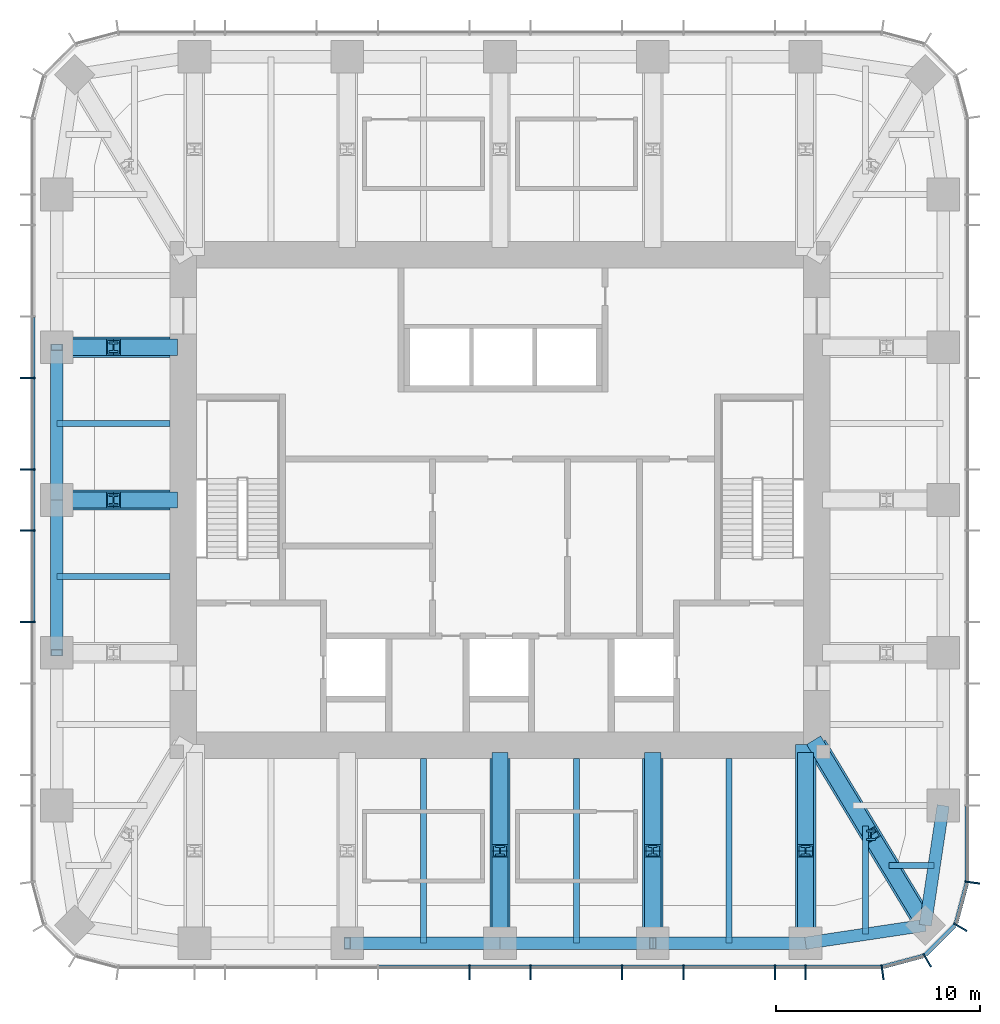
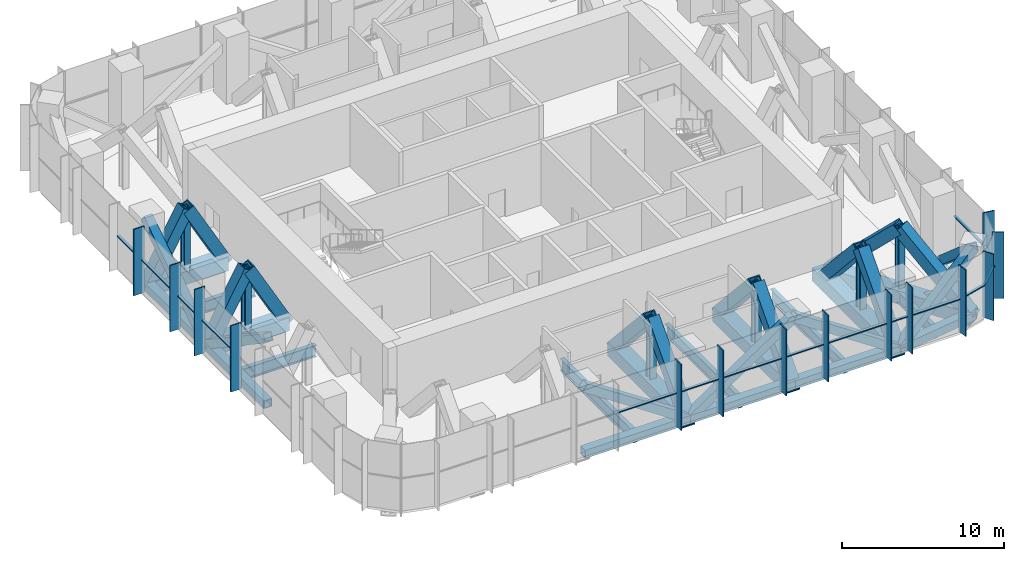
# One storey, part 2 of 9: 67 members, 7 beams, 4 elements without a shape of their own.
"""IFC4 building model written with IfcOpenShell, lengths in metres."""

from ifc_helpers import new_model, si_unit, direction, frame, origin, origin_2d, place, context, subcontext, project, spatial, rectangle, hollow_rectangle, i_section, extrude, material, material_profile, profile_set, type_object, element, aggregate, save


model = new_model("IFC4")

# Units and contexts
model_context = context("Model", 3, precision=1e-05, world=origin(), true_north=direction((0.0, 1.0)))
body_context = subcontext(model_context, "Body", "Model", "MODEL_VIEW")
ifc_project = project(units=[si_unit("LENGTHUNIT", "METRE"), si_unit("AREAUNIT", "SQUARE_METRE"), si_unit("VOLUMEUNIT", "CUBIC_METRE"), si_unit("PLANEANGLEUNIT", "RADIAN"), si_unit("MASSUNIT", "GRAM", prefix="KILO")], contexts=[model_context])

# Site, building, storey
site_placement = place(None, origin())
site = spatial("IfcSite", under=ifc_project, at=site_placement, CompositionType="ELEMENT")
building_placement = place(site_placement, origin())
building = spatial("IfcBuilding", under=site, at=building_placement, Name="Khuree Lantern Residences", CompositionType="ELEMENT")
storey_placement = place(building_placement, frame((0.0, 0.0, 353.25)))
storey = spatial("IfcBuildingStorey", under=building, at=storey_placement, Name="L89", CompositionType="ELEMENT", Elevation=353.25)

# Beams
ifc_material_1 = material(Name="Steel S355", Category="steel")
ifc_material_profile_1 = material_profile(ifc_material_1, i_section(OverallWidth=0.300048828125, OverallDepth=0.889892578125, WebThickness=0.01611328125, FlangeThickness=0.030029296875, FilletRadius=0.030029296875, at=origin_2d()), Name="HE 900 A")
ifc_profile_set_1 = profile_set([ifc_material_profile_1], Name="Steel S355")
beam_type = type_object("IfcBeamType", Name="B-89 SECONDARY BEAM HE 900 A", PredefinedType="BEAM", material=ifc_profile_set_1)
beam_1_placement = place(storey_placement, frame((21.2607421875, -17.890625, -0.7451171875), z_axis=(-1.0, 0.0, 0.0), x_axis=(0.0, -1.0, 0.0)))
element("IfcBeam", 1, at=beam_1_placement, inside=storey, type_object=beam_type, Name="Secondary beam E6", PredefinedType="BEAM", context=body_context, shape_type="SweptSolid", body=[
    extrude(i_section(OverallWidth=0.300048828125, OverallDepth=0.889892578125, WebThickness=0.01611328125, FlangeThickness=0.030029296875, FilletRadius=0.030029296875, at=origin_2d()), origin(), (0.0, 0.0, 1.0), 2.207275390625),
])
beam_2_placement = place(storey_placement, frame((17.890625, -21.2607421875, -0.7451171875), z_axis=(0.0, 1.0, 0.0), x_axis=(-1.0, 0.0, 0.0)))
element("IfcBeam", 2, at=beam_2_placement, inside=storey, type_object=beam_type, Name="Secondary beam S1", PredefinedType="BEAM", context=body_context, shape_type="SweptSolid", body=[
    extrude(i_section(OverallWidth=0.300048828125, OverallDepth=0.889892578125, WebThickness=0.01611328125, FlangeThickness=0.030029296875, FilletRadius=0.030029296875, at=origin_2d()), origin(), (0.0, 0.0, 1.0), 5.297607421875),
])
for number, where, z_axis, x_axis, name in (
    (3, (11.219970703125, -21.699951171875, -0.7451171875), (0.0, 1.0, 0.0), (-1.0, 0.0, 0.0), "Secondary beam S2"),
    (4, (3.739990234375, -21.699951171875, -0.7451171875), (0.0, 1.0, 0.0), (-1.0, 0.0, 0.0), "Secondary beam S3"),
    (5, (-3.739990234375, -21.699951171875, -0.7451171875), (0.0, 1.0, 0.0), (-1.0, 0.0, 0.0), "Secondary beam S4"),
):
    element("IfcBeam", number, at=place(storey_placement, frame(where, z_axis=z_axis, x_axis=x_axis)), inside=storey, type_object=beam_type, Name=name, PredefinedType="BEAM", context=body_context, shape_type="SweptSolid", body=[
        extrude(i_section(OverallWidth=0.300048828125, OverallDepth=0.889892578125, WebThickness=0.01611328125, FlangeThickness=0.030029296875, FilletRadius=0.030029296875, at=origin_2d()), origin(), (0.0, 0.0, 1.0), 9.050048828125),
    ])
for number, where, z_axis, x_axis, name in (
    (6, (-21.699951171875, -3.739990234375, -0.7451171875), (1.0, 0.0, 0.0), (0.0, 1.0, 0.0), "Secondary beam W3"),
    (7, (-21.699951171875, 3.739990234375, -0.7451171875), (1.0, 0.0, 0.0), (0.0, 1.0, 0.0), "Secondary beam W4"),
):
    element("IfcBeam", number, at=place(storey_placement, frame(where, z_axis=z_axis, x_axis=x_axis)), inside=storey, type_object=beam_type, Name=name, PredefinedType="BEAM", context=body_context, shape_type="SweptSolid", body=[
        extrude(i_section(OverallWidth=0.300048828125, OverallDepth=0.889892578125, WebThickness=0.01611328125, FlangeThickness=0.030029296875, FilletRadius=0.030029296875, at=origin_2d()), origin(), (0.0, 0.0, 1.0), 5.550048828125),
    ])

# Members
ifc_material_profile_2 = material_profile(ifc_material_1, hollow_rectangle(XDim=0.60009765625, YDim=0.60009765625, WallThickness=0.050048828125, at=origin_2d()), Name="WELDED BOX 600X600X50")
ifc_profile_set_2 = profile_set([ifc_material_profile_2], Name="Steel S355")
member_type_1 = type_object("IfcMemberType", Name="BD-89 BELT TRUSS DIAGONAL WELDED BOX 600X600X50", PredefinedType="BRACE", material=ifc_profile_set_2)
for number, where, z_axis, x_axis, name in (
    (8, (21.699951171875, -14.9599609375, -0.60009765625), (-0.113314726865, -0.755893293294, 0.644814005609), (0.988949643299, -0.148251822985, 0.0), "Belt truss diagonal E6"),
    (9, (20.8212890625, -20.8212890625, 4.39990234375), (-0.755893293294, -0.113314726865, -0.644814005609), (0.148251822985, -0.988949643299, 0.0), "Belt truss diagonal S1"),
):
    element("IfcMember", number, at=place(storey_placement, frame(where, z_axis=z_axis, x_axis=x_axis)), inside=storey, type_object=member_type_1, Name=name, PredefinedType="BRACE", context=body_context, shape_type="SweptSolid", body=[
        extrude(hollow_rectangle(XDim=0.60009765625, YDim=0.60009765625, WallThickness=0.050048828125, at=origin_2d()), origin(), (0.0, 0.0, 1.0), 7.754150390625),
    ])
for number, where, z_axis, x_axis, name in (
    (10, (14.9599609375, -21.699951171875, -0.60009765625), (-0.831365021271, 0.0, 0.555726732673), (0.0, -1.0, 0.0), "Belt truss diagonal S2"),
    (11, (7.47998046875, -21.699951171875, 4.39990234375), (-0.831365021271, 0.0, -0.555726732673), (0.0, -1.0, 0.0), "Belt truss diagonal S3"),
    (12, (0.0, -21.699951171875, -0.60009765625), (-0.831365021271, 0.0, 0.555726732673), (0.0, -1.0, 0.0), "Belt truss diagonal S4"),
    (13, (-21.699951171875, -7.47998046875, 4.39990234375), (0.0, 0.831365021271, -0.555726732673), (-1.0, 0.0, 0.0), "Belt truss diagonal W3"),
    (14, (-21.699951171875, 0.0, -0.60009765625), (0.0, 0.831365021271, 0.555726732673), (-1.0, 0.0, 0.0), "Belt truss diagonal W4"),
):
    element("IfcMember", number, at=place(storey_placement, frame(where, z_axis=z_axis, x_axis=x_axis)), inside=storey, type_object=member_type_1, Name=name, PredefinedType="BRACE", context=body_context, shape_type="SweptSolid", body=[
        extrude(hollow_rectangle(XDim=0.60009765625, YDim=0.60009765625, WallThickness=0.050048828125, at=origin_2d()), origin(), (0.0, 0.0, 1.0), 8.997314453125),
    ])
ifc_material_profile_3 = material_profile(ifc_material_1, hollow_rectangle(XDim=0.60009765625, YDim=0.60009765625, WallThickness=0.050048828125, at=origin_2d()), Name="WELDED BOX 600X600X50")
ifc_profile_set_3 = profile_set([ifc_material_profile_3], Name="Steel S355")
member_type_2 = type_object("IfcMemberType", Name="BT-89 BELT TRUSS CHORD WELDED BOX 600X600X50", PredefinedType="CHORD", material=ifc_profile_set_3)
for number, where, z_axis, x_axis, name in (
    (15, (21.699951171875, -14.9599609375, -0.60009765625), (-0.148251822985, -0.988949643299, 0.0), (0.988949643299, -0.148251822985, 0.0), "Belt truss chord E6"),
    (16, (20.8212890625, -20.8212890625, -0.60009765625), (-0.988949643299, -0.148251822985, 0.0), (0.148251822985, -0.988949643299, 0.0), "Belt truss chord S1"),
):
    element("IfcMember", number, at=place(storey_placement, frame(where, z_axis=z_axis, x_axis=x_axis)), inside=storey, type_object=member_type_2, Name=name, PredefinedType="CHORD", context=body_context, shape_type="SweptSolid", body=[
        extrude(hollow_rectangle(XDim=0.60009765625, YDim=0.60009765625, WallThickness=0.050048828125, at=origin_2d()), origin(), (0.0, 0.0, 1.0), 5.9267578125),
    ])
for number, where, z_axis, x_axis, name in (
    (17, (14.9599609375, -21.699951171875, -0.60009765625), (-1.0, 0.0, 0.0), (0.0, -1.0, 0.0), "Belt truss chord S2"),
    (18, (7.47998046875, -21.699951171875, -0.60009765625), (-1.0, 0.0, 0.0), (0.0, -1.0, 0.0), "Belt truss chord S3"),
    (19, (0.0, -21.699951171875, -0.60009765625), (-1.0, 0.0, 0.0), (0.0, -1.0, 0.0), "Belt truss chord S4"),
    (20, (-21.699951171875, -7.47998046875, -0.60009765625), (0.0, 1.0, 0.0), (-1.0, 0.0, 0.0), "Belt truss chord W3"),
    (21, (-21.699951171875, 0.0, -0.60009765625), (0.0, 1.0, 0.0), (-1.0, 0.0, 0.0), "Belt truss chord W4"),
):
    element("IfcMember", number, at=place(storey_placement, frame(where, z_axis=z_axis, x_axis=x_axis)), inside=storey, type_object=member_type_2, Name=name, PredefinedType="CHORD", context=body_context, shape_type="SweptSolid", body=[
        extrude(hollow_rectangle(XDim=0.60009765625, YDim=0.60009765625, WallThickness=0.050048828125, at=origin_2d()), origin(), (0.0, 0.0, 1.0), 7.47998046875),
    ])

# Curtain wall, members
ifc_material_2 = material(Name="Bronze anodised aluminium", Category="aluminium")
curtain_wall_type = type_object("IfcCurtainWallType", Name="CW-L LANTERN CROWN CURTAIN WALL", PredefinedType="USERDEFINED", material=ifc_material_2)
curtain_wall_1_placement = place(storey_placement, origin())
curtain_wall_1 = element("IfcCurtainWall", 22, at=curtain_wall_1_placement, inside=storey, type_object=curtain_wall_type, Name="L89 SOUTH-EAST CORNER CURTAIN WALL", ObjectType="Lantern curtain wall", PredefinedType="USERDEFINED")
ifc_material_profile_4 = material_profile(ifc_material_2, rectangle(XDim=0.074951171875, YDim=0.75, at=origin_2d()), Name="F4 75X750")
ifc_profile_set_4 = profile_set([ifc_material_profile_4], Name="Bronze anodised aluminium")
member_type_3 = type_object("IfcMemberType", Name="F4 BRONZE FIN MULLION LANTERN 75X750", PredefinedType="MULLION", material=ifc_profile_set_4)
member_1_placement = place(storey_placement, frame((18.7294921875, -23.12451171875, 0.0), z_axis=(0.0, 0.0, 1.0), x_axis=(0.991444870192, 0.130526125236, 0.0)))
member_1 = element("IfcMember", 23, at=member_1_placement, type_object=member_type_3, Name="L89 SOUTH-EAST CORNER FIN MULLION 1", PredefinedType="MULLION", context=body_context, shape_type="SweptSolid", body=[
    extrude(rectangle(XDim=0.074951171875, YDim=0.75, at=origin_2d()), origin(), (0.0, 0.0, 1.0), 5.0),
])
member_2_placement = place(storey_placement, frame((20.91259765625, -22.5322265625, 0.0), z_axis=(0.0, 0.0, 1.0), x_axis=(0.866025437565, 0.49999994149, 0.0)))
member_2 = element("IfcMember", 24, at=member_2_placement, type_object=member_type_3, Name="L89 SOUTH-EAST CORNER FIN MULLION 2", PredefinedType="MULLION", context=body_context, shape_type="SweptSolid", body=[
    extrude(rectangle(XDim=0.074951171875, YDim=0.75, at=origin_2d()), origin(), (0.0, 0.0, 1.0), 5.0),
])
member_3_placement = place(storey_placement, frame((22.5322265625, -20.91259765625, 0.0), z_axis=(0.0, 0.0, 1.0), x_axis=(0.49999994149, 0.866025437565, 0.0)))
member_3 = element("IfcMember", 25, at=member_3_placement, type_object=member_type_3, Name="L89 SOUTH-EAST CORNER FIN MULLION 3", PredefinedType="MULLION", context=body_context, shape_type="SweptSolid", body=[
    extrude(rectangle(XDim=0.074951171875, YDim=0.75, at=origin_2d()), origin(), (0.0, 0.0, 1.0), 5.0),
])

# Curtain wall, member
curtain_wall_2_placement = place(storey_placement, origin())
curtain_wall_2 = element("IfcCurtainWall", 26, at=curtain_wall_2_placement, inside=storey, type_object=curtain_wall_type, Name="L89 EAST FACE CURTAIN WALL", ObjectType="Lantern curtain wall", PredefinedType="USERDEFINED")
member_4_placement = place(storey_placement, frame((23.12451171875, -18.7294921875, 0.0), z_axis=(0.0, 0.0, 1.0), x_axis=(0.130526125236, 0.991444870192, 0.0)))
member_4 = element("IfcMember", 27, at=member_4_placement, type_object=member_type_3, Name="L89 EAST FACE FIN MULLION 4", PredefinedType="MULLION", context=body_context, shape_type="SweptSolid", body=[
    extrude(rectangle(XDim=0.074951171875, YDim=0.75, at=origin_2d()), origin(), (0.0, 0.0, 1.0), 5.0),
])

# Curtain wall, members
curtain_wall_3_placement = place(storey_placement, origin())
curtain_wall_3 = element("IfcCurtainWall", 28, at=curtain_wall_3_placement, inside=storey, type_object=curtain_wall_type, Name="L89 WEST FACE CURTAIN WALL", ObjectType="Lantern curtain wall", PredefinedType="USERDEFINED")
member_5_placement = place(storey_placement, frame((-23.125, 5.98388671875, 0.0), z_axis=(0.0, 0.0, 1.0), x_axis=(0.0, -1.0, 0.0)))
member_5 = element("IfcMember", 29, at=member_5_placement, type_object=member_type_3, Name="L89 WEST FACE FIN MULLION 36", PredefinedType="MULLION", context=body_context, shape_type="SweptSolid", body=[
    extrude(rectangle(XDim=0.074951171875, YDim=0.75, at=origin_2d()), origin(), (0.0, 0.0, 1.0), 5.0),
])
member_6_placement = place(storey_placement, frame((-23.125, 1.49609375, 0.0), z_axis=(0.0, 0.0, 1.0), x_axis=(0.0, -1.0, 0.0)))
member_6 = element("IfcMember", 30, at=member_6_placement, type_object=member_type_3, Name="L89 WEST FACE FIN MULLION 37", PredefinedType="MULLION", context=body_context, shape_type="SweptSolid", body=[
    extrude(rectangle(XDim=0.074951171875, YDim=0.75, at=origin_2d()), origin(), (0.0, 0.0, 1.0), 5.0),
])
member_7_placement = place(storey_placement, frame((-23.125, -1.49609375, 0.0), z_axis=(0.0, 0.0, 1.0), x_axis=(0.0, -1.0, 0.0)))
member_7 = element("IfcMember", 31, at=member_7_placement, type_object=member_type_3, Name="L89 WEST FACE FIN MULLION 38", PredefinedType="MULLION", context=body_context, shape_type="SweptSolid", body=[
    extrude(rectangle(XDim=0.074951171875, YDim=0.75, at=origin_2d()), origin(), (0.0, 0.0, 1.0), 5.0),
])
member_8_placement = place(storey_placement, frame((-23.125, -5.98388671875, 0.0), z_axis=(0.0, 0.0, 1.0), x_axis=(0.0, -1.0, 0.0)))
member_8 = element("IfcMember", 32, at=member_8_placement, type_object=member_type_3, Name="L89 WEST FACE FIN MULLION 39", PredefinedType="MULLION", context=body_context, shape_type="SweptSolid", body=[
    extrude(rectangle(XDim=0.074951171875, YDim=0.75, at=origin_2d()), origin(), (0.0, 0.0, 1.0), 5.0),
])

curtain_wall_4_placement = place(storey_placement, origin())
curtain_wall_4 = element("IfcCurtainWall", 33, at=curtain_wall_4_placement, inside=storey, type_object=curtain_wall_type, Name="L89 SOUTH FACE CURTAIN WALL", ObjectType="Lantern curtain wall", PredefinedType="USERDEFINED")
member_9_placement = place(storey_placement, frame((-1.49609375, -23.125, 0.0), z_axis=(0.0, 0.0, 1.0), x_axis=(1.0, 0.0, 0.0)))
member_9 = element("IfcMember", 34, at=member_9_placement, type_object=member_type_3, Name="L89 SOUTH FACE FIN MULLION 51", PredefinedType="MULLION", context=body_context, shape_type="SweptSolid", body=[
    extrude(rectangle(XDim=0.074951171875, YDim=0.75, at=origin_2d()), origin(), (0.0, 0.0, 1.0), 5.0),
])
member_10_placement = place(storey_placement, frame((1.49609375, -23.125, 0.0), z_axis=(0.0, 0.0, 1.0), x_axis=(1.0, 0.0, 0.0)))
member_10 = element("IfcMember", 35, at=member_10_placement, type_object=member_type_3, Name="L89 SOUTH FACE FIN MULLION 52", PredefinedType="MULLION", context=body_context, shape_type="SweptSolid", body=[
    extrude(rectangle(XDim=0.074951171875, YDim=0.75, at=origin_2d()), origin(), (0.0, 0.0, 1.0), 5.0),
])
member_11_placement = place(storey_placement, frame((5.98388671875, -23.125, 0.0), z_axis=(0.0, 0.0, 1.0), x_axis=(1.0, 0.0, 0.0)))
member_11 = element("IfcMember", 36, at=member_11_placement, type_object=member_type_3, Name="L89 SOUTH FACE FIN MULLION 53", PredefinedType="MULLION", context=body_context, shape_type="SweptSolid", body=[
    extrude(rectangle(XDim=0.074951171875, YDim=0.75, at=origin_2d()), origin(), (0.0, 0.0, 1.0), 5.0),
])
member_12_placement = place(storey_placement, frame((8.97607421875, -23.125, 0.0), z_axis=(0.0, 0.0, 1.0), x_axis=(1.0, 0.0, 0.0)))
member_12 = element("IfcMember", 37, at=member_12_placement, type_object=member_type_3, Name="L89 SOUTH FACE FIN MULLION 54", PredefinedType="MULLION", context=body_context, shape_type="SweptSolid", body=[
    extrude(rectangle(XDim=0.074951171875, YDim=0.75, at=origin_2d()), origin(), (0.0, 0.0, 1.0), 5.0),
])
member_13_placement = place(storey_placement, frame((13.464111328125, -23.125, 0.0), z_axis=(0.0, 0.0, 1.0), x_axis=(1.0, 0.0, 0.0)))
member_13 = element("IfcMember", 38, at=member_13_placement, type_object=member_type_3, Name="L89 SOUTH FACE FIN MULLION 55", PredefinedType="MULLION", context=body_context, shape_type="SweptSolid", body=[
    extrude(rectangle(XDim=0.074951171875, YDim=0.75, at=origin_2d()), origin(), (0.0, 0.0, 1.0), 5.0),
])
member_14_placement = place(storey_placement, frame((14.9599609375, -23.125, 0.0), z_axis=(0.0, 0.0, 1.0), x_axis=(1.0, 0.0, 0.0)))
member_14 = element("IfcMember", 39, at=member_14_placement, type_object=member_type_3, Name="L89 SOUTH FACE FIN MULLION 56", PredefinedType="MULLION", context=body_context, shape_type="SweptSolid", body=[
    extrude(rectangle(XDim=0.074951171875, YDim=0.75, at=origin_2d()), origin(), (0.0, 0.0, 1.0), 5.0),
])

# Members
ifc_material_profile_5 = material_profile(ifc_material_1, hollow_rectangle(XDim=0.800048828125, YDim=0.800048828125, WallThickness=0.070068359375, at=origin_2d()), Name="WELDED BOX 800X800X70")
ifc_profile_set_5 = profile_set([ifc_material_profile_5], Name="Steel S355")
member_type_4 = type_object("IfcMemberType", Name="OD-89 OUTRIGGER TRUSS DIAGONAL WELDED BOX 800X800X70", PredefinedType="BRACE", material=ifc_profile_set_5)
for number, where, z_axis, x_axis, name in (
    (40, (15.5, -12.0, -0.800048828125), (0.370633716413, -0.614412618894, 0.696511149948), (0.856269347495, 0.516529577604, 0.0), "Outrigger diagonal SE core side"),
    (41, (18.16064453125, -16.41064453125, 4.199951171875), (0.370633716413, -0.614412618894, -0.696511149948), (0.856269347495, 0.516529577604, 0.0), "Outrigger diagonal SE column side"),
):
    element("IfcMember", number, at=place(storey_placement, frame(where, z_axis=z_axis, x_axis=x_axis)), inside=storey, type_object=member_type_4, Name=name, PredefinedType="BRACE", context=body_context, shape_type="SweptSolid", body=[
        extrude(hollow_rectangle(XDim=0.800048828125, YDim=0.800048828125, WallThickness=0.070068359375, at=origin_2d()), origin(), (0.0, 0.0, 1.0), 7.1787109375),
    ])
member_15_placement = place(storey_placement, frame((14.9599609375, -12.64990234375, -0.800048828125), z_axis=(0.0, -0.671022331943, 0.741437138289), x_axis=(1.0, 0.0, 0.0)))
element("IfcMember", 42, at=member_15_placement, inside=storey, type_object=member_type_4, Name="Outrigger diagonal S1 core side", PredefinedType="BRACE", context=body_context, shape_type="SweptSolid", body=[
    extrude(hollow_rectangle(XDim=0.800048828125, YDim=0.800048828125, WallThickness=0.070068359375, at=origin_2d()), origin(), (0.0, 0.0, 1.0), 6.74365234375),
])
member_16_placement = place(storey_placement, frame((14.9599609375, -17.175048828125, 4.199951171875), z_axis=(0.0, -0.671002429385, -0.7414551502), x_axis=(1.0, 0.0, 0.0)))
element("IfcMember", 43, at=member_16_placement, inside=storey, type_object=member_type_4, Name="Outrigger diagonal S1 column side", PredefinedType="BRACE", context=body_context, shape_type="SweptSolid", body=[
    extrude(hollow_rectangle(XDim=0.800048828125, YDim=0.800048828125, WallThickness=0.070068359375, at=origin_2d()), origin(), (0.0, 0.0, 1.0), 6.743408203125),
])
member_17_placement = place(storey_placement, frame((7.47998046875, -12.64990234375, -0.800048828125), z_axis=(0.0, -0.671022331943, 0.741437138289), x_axis=(1.0, 0.0, 0.0)))
element("IfcMember", 44, at=member_17_placement, inside=storey, type_object=member_type_4, Name="Outrigger diagonal S2 core side", PredefinedType="BRACE", context=body_context, shape_type="SweptSolid", body=[
    extrude(hollow_rectangle(XDim=0.800048828125, YDim=0.800048828125, WallThickness=0.070068359375, at=origin_2d()), origin(), (0.0, 0.0, 1.0), 6.74365234375),
])
member_18_placement = place(storey_placement, frame((7.47998046875, -17.175048828125, 4.199951171875), z_axis=(0.0, -0.671002429385, -0.7414551502), x_axis=(1.0, 0.0, 0.0)))
element("IfcMember", 45, at=member_18_placement, inside=storey, type_object=member_type_4, Name="Outrigger diagonal S2 column side", PredefinedType="BRACE", context=body_context, shape_type="SweptSolid", body=[
    extrude(hollow_rectangle(XDim=0.800048828125, YDim=0.800048828125, WallThickness=0.070068359375, at=origin_2d()), origin(), (0.0, 0.0, 1.0), 6.743408203125),
])
member_19_placement = place(storey_placement, frame((0.0, -12.64990234375, -0.800048828125), z_axis=(0.0, -0.671022331943, 0.741437138289), x_axis=(1.0, 0.0, 0.0)))
element("IfcMember", 46, at=member_19_placement, inside=storey, type_object=member_type_4, Name="Outrigger diagonal S3 core side", PredefinedType="BRACE", context=body_context, shape_type="SweptSolid", body=[
    extrude(hollow_rectangle(XDim=0.800048828125, YDim=0.800048828125, WallThickness=0.070068359375, at=origin_2d()), origin(), (0.0, 0.0, 1.0), 6.74365234375),
])
member_20_placement = place(storey_placement, frame((0.0, -17.175048828125, 4.199951171875), z_axis=(0.0, -0.671002429385, -0.7414551502), x_axis=(1.0, 0.0, 0.0)))
element("IfcMember", 47, at=member_20_placement, inside=storey, type_object=member_type_4, Name="Outrigger diagonal S3 column side", PredefinedType="BRACE", context=body_context, shape_type="SweptSolid", body=[
    extrude(hollow_rectangle(XDim=0.800048828125, YDim=0.800048828125, WallThickness=0.070068359375, at=origin_2d()), origin(), (0.0, 0.0, 1.0), 6.743408203125),
])
for number, where, z_axis, x_axis, name in (
    (48, (-16.14990234375, 0.0, -0.800048828125), (-0.485291278827, 0.0, 0.874352545999), (0.0, -1.0, 0.0), "Outrigger diagonal W3 core side"),
    (49, (-18.925048828125, 0.0, 4.199951171875), (-0.485258639343, 0.0, -0.874370661072), (0.0, -1.0, 0.0), "Outrigger diagonal W3 column side"),
    (50, (-16.14990234375, 7.47998046875, -0.800048828125), (-0.485291278827, 0.0, 0.874352545999), (0.0, -1.0, 0.0), "Outrigger diagonal W4 core side"),
    (51, (-18.925048828125, 7.47998046875, 4.199951171875), (-0.485258639343, 0.0, -0.874370661072), (0.0, -1.0, 0.0), "Outrigger diagonal W4 column side"),
):
    element("IfcMember", number, at=place(storey_placement, frame(where, z_axis=z_axis, x_axis=x_axis)), inside=storey, type_object=member_type_4, Name=name, PredefinedType="BRACE", context=body_context, shape_type="SweptSolid", body=[
        extrude(hollow_rectangle(XDim=0.800048828125, YDim=0.800048828125, WallThickness=0.070068359375, at=origin_2d()), origin(), (0.0, 0.0, 1.0), 5.718505859375),
    ])
ifc_material_profile_6 = material_profile(ifc_material_1, i_section(OverallWidth=0.431884765625, OverallDepth=0.498046875, WebThickness=0.0556640625, FlangeThickness=0.0888671875, FilletRadius=0.014892578125, at=origin_2d()), Name="HD 400X744")
ifc_profile_set_6 = profile_set([ifc_material_profile_6], Name="Steel S355")
member_type_5 = type_object("IfcMemberType", Name="OP-89 OUTRIGGER TRUSS POST HD 400X744", PredefinedType="POST", material=ifc_profile_set_6)
for number, where, z_axis, x_axis, name in (
    (52, (18.16064453125, -16.41064453125, -0.800048828125), (0.0, 0.0, 1.0), (1.0, 0.0, 0.0), "Outrigger post SE"),
    (53, (14.9599609375, -17.175048828125, -0.800048828125), (0.0, 0.0, 1.0), (1.0, 0.0, 0.0), "Outrigger post S1"),
    (54, (7.47998046875, -17.175048828125, -0.800048828125), (0.0, 0.0, 1.0), (1.0, 0.0, 0.0), "Outrigger post S2"),
    (55, (0.0, -17.175048828125, -0.800048828125), (0.0, 0.0, 1.0), (1.0, 0.0, 0.0), "Outrigger post S3"),
    (56, (-18.925048828125, 0.0, -0.800048828125), (0.0, 0.0, 1.0), (1.0, 0.0, 0.0), "Outrigger post W3"),
    (57, (-18.925048828125, 7.47998046875, -0.800048828125), (0.0, 0.0, 1.0), (1.0, 0.0, 0.0), "Outrigger post W4"),
):
    element("IfcMember", number, at=place(storey_placement, frame(where, z_axis=z_axis, x_axis=x_axis)), inside=storey, type_object=member_type_5, Name=name, PredefinedType="POST", context=body_context, shape_type="SweptSolid", body=[
        extrude(i_section(OverallWidth=0.431884765625, OverallDepth=0.498046875, WebThickness=0.0556640625, FlangeThickness=0.0888671875, FilletRadius=0.014892578125, at=origin_2d()), origin(), (0.0, 0.0, 1.0), 5.0),
    ])
ifc_material_profile_7 = material_profile(ifc_material_1, hollow_rectangle(XDim=1.0, YDim=1.0, WallThickness=0.080078125, at=origin_2d()), Name="WELDED BOX 1000X1000X80")
ifc_profile_set_7 = profile_set([ifc_material_profile_7], Name="Steel S355")
member_type_6 = type_object("IfcMemberType", Name="OT-89 OUTRIGGER TRUSS CHORD WELDED BOX 1000X1000X80", PredefinedType="CHORD", material=ifc_profile_set_7)
member_21_placement = place(storey_placement, frame((14.9599609375, -21.699951171875, -0.800048828125), z_axis=(0.0, 1.0, 0.0), x_axis=(-1.0, 0.0, 0.0)))
element("IfcMember", 58, at=member_21_placement, inside=storey, type_object=member_type_6, Name="Outrigger chord S1", PredefinedType="CHORD", context=body_context, shape_type="SweptSolid", body=[
    extrude(hollow_rectangle(XDim=1.0, YDim=1.0, WallThickness=0.080078125, at=origin_2d()), origin(), (0.0, 0.0, 1.0), 9.723876953125),
])
for number, where, z_axis, x_axis, name in (
    (59, (7.47998046875, -21.699951171875, -0.800048828125), (0.0, 1.0, 0.0), (-1.0, 0.0, 0.0), "Outrigger chord S2"),
    (60, (0.0, -21.699951171875, -0.800048828125), (0.0, 1.0, 0.0), (-1.0, 0.0, 0.0), "Outrigger chord S3"),
):
    element("IfcMember", number, at=place(storey_placement, frame(where, z_axis=z_axis, x_axis=x_axis)), inside=storey, type_object=member_type_6, Name=name, PredefinedType="CHORD", context=body_context, shape_type="SweptSolid", body=[
        extrude(hollow_rectangle(XDim=1.0, YDim=1.0, WallThickness=0.080078125, at=origin_2d()), origin(), (0.0, 0.0, 1.0), 9.050048828125),
    ])
for number, where, z_axis, x_axis, name in (
    (61, (-21.699951171875, 0.0, -0.800048828125), (1.0, 0.0, 0.0), (0.0, 1.0, 0.0), "Outrigger chord W3"),
    (62, (-21.699951171875, 7.47998046875, -0.800048828125), (1.0, 0.0, 0.0), (0.0, 1.0, 0.0), "Outrigger chord W4"),
):
    element("IfcMember", number, at=place(storey_placement, frame(where, z_axis=z_axis, x_axis=x_axis)), inside=storey, type_object=member_type_6, Name=name, PredefinedType="CHORD", context=body_context, shape_type="SweptSolid", body=[
        extrude(hollow_rectangle(XDim=1.0, YDim=1.0, WallThickness=0.080078125, at=origin_2d()), origin(), (0.0, 0.0, 1.0), 5.550048828125),
    ])
member_22_placement = place(storey_placement, frame((20.8212890625, -20.8212890625, -0.800048828125), z_axis=(-0.516529577604, 0.856269347495, 0.0), x_axis=(-0.856269347495, -0.516529577604, 0.0)))
element("IfcMember", 63, at=member_22_placement, inside=storey, type_object=member_type_6, Name="Outrigger chord SE", PredefinedType="CHORD", context=body_context, shape_type="SweptSolid", body=[
    extrude(hollow_rectangle(XDim=1.0, YDim=1.0, WallThickness=0.080078125, at=origin_2d()), origin(), (0.0, 0.0, 1.0), 10.302001953125),
])

# Member
ifc_material_profile_8 = material_profile(ifc_material_2, rectangle(XDim=0.199951171875, YDim=0.074951171875, at=origin_2d()), Name="T4 200X75")
ifc_profile_set_8 = profile_set([ifc_material_profile_8], Name="Bronze anodised aluminium")
member_type_7 = type_object("IfcMemberType", Name="TRANSOM T4 LANTERN 200X75", PredefinedType="USERDEFINED", material=ifc_profile_set_8)
member_23_placement = place(storey_placement, frame((18.745361328125, -22.856689453125, 2.5), z_axis=(0.965941126358, 0.258761937717, 0.0), x_axis=(-0.258761937717, 0.965941126358, 0.0)))
member_23 = element("IfcMember", 64, at=member_23_placement, type_object=member_type_7, Name="L89 SOUTH-EAST CORNER TRANSOM 1.1", ObjectType="Transom", PredefinedType="USERDEFINED", context=body_context, shape_type="SweptSolid", body=[
    extrude(rectangle(XDim=0.199951171875, YDim=0.074951171875, at=origin_2d()), origin(), (0.0, 0.0, 1.0), 2.04541015625),
])

member_24_placement = place(storey_placement, frame((20.830810546875, -22.263916015625, 2.5), z_axis=(0.707106781187, 0.707106781187, 0.0), x_axis=(-0.707106781187, 0.707106781187, 0.0)))
member_24 = element("IfcMember", 65, at=member_24_placement, type_object=member_type_7, Name="L89 SOUTH-EAST CORNER TRANSOM 2.1", ObjectType="Transom", PredefinedType="USERDEFINED", context=body_context, shape_type="SweptSolid", body=[
    extrude(rectangle(XDim=0.199951171875, YDim=0.074951171875, at=origin_2d()), origin(), (0.0, 0.0, 1.0), 2.026611328125),
])

member_25_placement = place(storey_placement, frame((22.327392578125, -20.72119140625, 2.5), z_axis=(0.258761937717, 0.965941126358, 0.0), x_axis=(-0.965941126358, 0.258761937717, 0.0)))
member_25 = element("IfcMember", 66, at=member_25_placement, type_object=member_type_7, Name="L89 SOUTH-EAST CORNER TRANSOM 3.1", ObjectType="Transom", PredefinedType="USERDEFINED", context=body_context, shape_type="SweptSolid", body=[
    extrude(rectangle(XDim=0.199951171875, YDim=0.074951171875, at=origin_2d()), origin(), (0.0, 0.0, 1.0), 2.04541015625),
])

aggregate(curtain_wall_1, [member_1, member_2, member_3, member_23, member_24, member_25])

member_26_placement = place(storey_placement, frame((22.8701171875, -18.64501953125, 2.5), z_axis=(0.0, 1.0, 0.0), x_axis=(-1.0, 0.0, 0.0)))
member_26 = element("IfcMember", 67, at=member_26_placement, type_object=member_type_7, Name="L89 EAST FACE TRANSOM 4.1", ObjectType="Transom", PredefinedType="USERDEFINED", context=body_context, shape_type="SweptSolid", body=[
    extrude(rectangle(XDim=0.199951171875, YDim=0.074951171875, at=origin_2d()), origin(), (0.0, 0.0, 1.0), 3.6474609375),
])

aggregate(curtain_wall_2, [member_4, member_26])

member_27_placement = place(storey_placement, frame((-22.8701171875, 8.9384765625, 2.5), z_axis=(0.0, -1.0, 0.0), x_axis=(1.0, 0.0, 0.0)))
member_27 = element("IfcMember", 68, at=member_27_placement, type_object=member_type_7, Name="L89 WEST FACE TRANSOM 35.1", ObjectType="Transom", PredefinedType="USERDEFINED", context=body_context, shape_type="SweptSolid", body=[
    extrude(rectangle(XDim=0.199951171875, YDim=0.074951171875, at=origin_2d()), origin(), (0.0, 0.0, 1.0), 2.9169921875),
])

member_28_placement = place(storey_placement, frame((-22.8701171875, 5.946533203125, 2.5), z_axis=(0.0, -1.0, 0.0), x_axis=(1.0, 0.0, 0.0)))
member_28 = element("IfcMember", 69, at=member_28_placement, type_object=member_type_7, Name="L89 WEST FACE TRANSOM 36.1", ObjectType="Transom", PredefinedType="USERDEFINED", context=body_context, shape_type="SweptSolid", body=[
    extrude(rectangle(XDim=0.199951171875, YDim=0.074951171875, at=origin_2d()), origin(), (0.0, 0.0, 1.0), 4.4130859375),
])

member_29_placement = place(storey_placement, frame((-22.8701171875, 1.45849609375, 2.5), z_axis=(0.0, -1.0, 0.0), x_axis=(1.0, 0.0, 0.0)))
member_29 = element("IfcMember", 70, at=member_29_placement, type_object=member_type_7, Name="L89 WEST FACE TRANSOM 37.1", ObjectType="Transom", PredefinedType="USERDEFINED", context=body_context, shape_type="SweptSolid", body=[
    extrude(rectangle(XDim=0.199951171875, YDim=0.074951171875, at=origin_2d()), origin(), (0.0, 0.0, 1.0), 2.9169921875),
])

member_30_placement = place(storey_placement, frame((-22.8701171875, -1.533447265625, 2.5), z_axis=(0.0, -1.0, 0.0), x_axis=(1.0, 0.0, 0.0)))
member_30 = element("IfcMember", 71, at=member_30_placement, type_object=member_type_7, Name="L89 WEST FACE TRANSOM 38.1", ObjectType="Transom", PredefinedType="USERDEFINED", context=body_context, shape_type="SweptSolid", body=[
    extrude(rectangle(XDim=0.199951171875, YDim=0.074951171875, at=origin_2d()), origin(), (0.0, 0.0, 1.0), 4.4130859375),
])

aggregate(curtain_wall_3, [member_5, member_6, member_7, member_8, member_27, member_28, member_29, member_30])

member_31_placement = place(storey_placement, frame((-5.946533203125, -22.8701171875, 2.5), z_axis=(1.0, 0.0, 0.0), x_axis=(0.0, 1.0, 0.0)))
member_31 = element("IfcMember", 72, at=member_31_placement, type_object=member_type_7, Name="L89 SOUTH FACE TRANSOM 50.1", ObjectType="Transom", PredefinedType="USERDEFINED", context=body_context, shape_type="SweptSolid", body=[
    extrude(rectangle(XDim=0.199951171875, YDim=0.074951171875, at=origin_2d()), origin(), (0.0, 0.0, 1.0), 4.4130859375),
])

member_32_placement = place(storey_placement, frame((-1.45849609375, -22.8701171875, 2.5), z_axis=(1.0, 0.0, 0.0), x_axis=(0.0, 1.0, 0.0)))
member_32 = element("IfcMember", 73, at=member_32_placement, type_object=member_type_7, Name="L89 SOUTH FACE TRANSOM 51.1", ObjectType="Transom", PredefinedType="USERDEFINED", context=body_context, shape_type="SweptSolid", body=[
    extrude(rectangle(XDim=0.199951171875, YDim=0.074951171875, at=origin_2d()), origin(), (0.0, 0.0, 1.0), 2.9169921875),
])

member_33_placement = place(storey_placement, frame((1.533447265625, -22.8701171875, 2.5), z_axis=(1.0, 0.0, 0.0), x_axis=(0.0, 1.0, 0.0)))
member_33 = element("IfcMember", 74, at=member_33_placement, type_object=member_type_7, Name="L89 SOUTH FACE TRANSOM 52.1", ObjectType="Transom", PredefinedType="USERDEFINED", context=body_context, shape_type="SweptSolid", body=[
    extrude(rectangle(XDim=0.199951171875, YDim=0.074951171875, at=origin_2d()), origin(), (0.0, 0.0, 1.0), 4.4130859375),
])

member_34_placement = place(storey_placement, frame((6.021484375, -22.8701171875, 2.5), z_axis=(1.0, 0.0, 0.0), x_axis=(0.0, 1.0, 0.0)))
member_34 = element("IfcMember", 75, at=member_34_placement, type_object=member_type_7, Name="L89 SOUTH FACE TRANSOM 53.1", ObjectType="Transom", PredefinedType="USERDEFINED", context=body_context, shape_type="SweptSolid", body=[
    extrude(rectangle(XDim=0.199951171875, YDim=0.074951171875, at=origin_2d()), origin(), (0.0, 0.0, 1.0), 2.9169921875),
])

member_35_placement = place(storey_placement, frame((9.013427734375, -22.8701171875, 2.5), z_axis=(1.0, 0.0, 0.0), x_axis=(0.0, 1.0, 0.0)))
member_35 = element("IfcMember", 76, at=member_35_placement, type_object=member_type_7, Name="L89 SOUTH FACE TRANSOM 54.1", ObjectType="Transom", PredefinedType="USERDEFINED", context=body_context, shape_type="SweptSolid", body=[
    extrude(rectangle(XDim=0.199951171875, YDim=0.074951171875, at=origin_2d()), origin(), (0.0, 0.0, 1.0), 4.4130859375),
])

member_36_placement = place(storey_placement, frame((13.50146484375, -22.8701171875, 2.5), z_axis=(1.0, 0.0, 0.0), x_axis=(0.0, 1.0, 0.0)))
member_36 = element("IfcMember", 77, at=member_36_placement, type_object=member_type_7, Name="L89 SOUTH FACE TRANSOM 55.1", ObjectType="Transom", PredefinedType="USERDEFINED", context=body_context, shape_type="SweptSolid", body=[
    extrude(rectangle(XDim=0.199951171875, YDim=0.074951171875, at=origin_2d()), origin(), (0.0, 0.0, 1.0), 1.421142578125),
])

member_37_placement = place(storey_placement, frame((14.99755859375, -22.8701171875, 2.5), z_axis=(1.0, 0.0, 0.0), x_axis=(0.0, 1.0, 0.0)))
member_37 = element("IfcMember", 78, at=member_37_placement, type_object=member_type_7, Name="L89 SOUTH FACE TRANSOM 56.1", ObjectType="Transom", PredefinedType="USERDEFINED", context=body_context, shape_type="SweptSolid", body=[
    extrude(rectangle(XDim=0.199951171875, YDim=0.074951171875, at=origin_2d()), origin(), (0.0, 0.0, 1.0), 3.6474609375),
])

aggregate(curtain_wall_4, [member_9, member_10, member_11, member_12, member_13, member_14, member_31, member_32, member_33, member_34, member_35, member_36, member_37])

save(model, "model.ifc")
